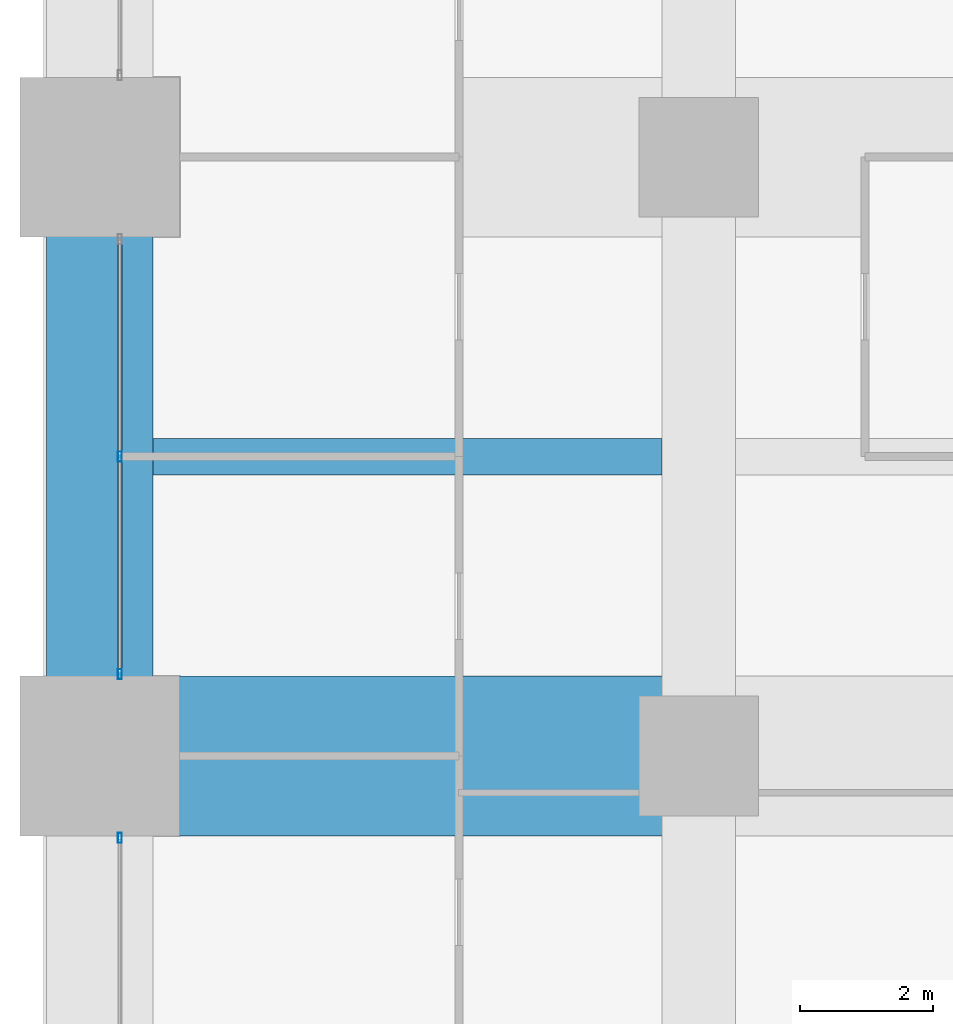
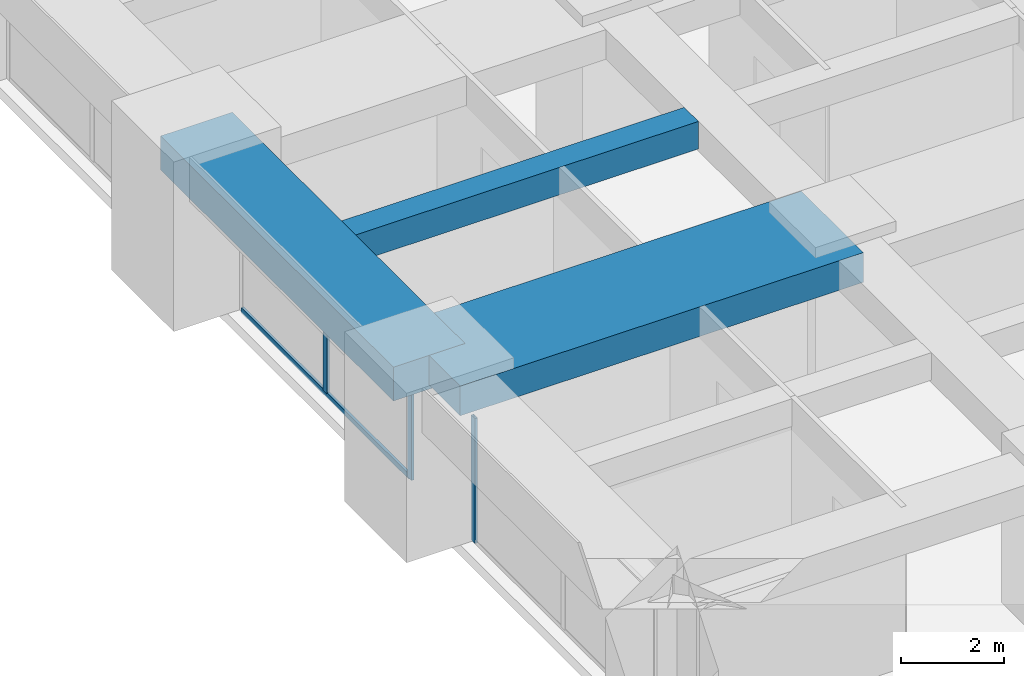
# One storey, part 9 of 43: 4 members, 3 beams, 2 elements without a shape of their own.
"""IFC4 building model written with IfcOpenShell, lengths in metres."""

from ifc_helpers import new_model, si_unit, direction, frame, origin, origin_2d, place, context, subcontext, project, spatial, rectangle, hollow_rectangle, extrude, material, material_profile, profile_set, type_object, element, aggregate, save


model = new_model("IFC4")

# Units and contexts
model_context = context("Model", 3, precision=1e-05, world=origin(), true_north=direction((0.0, 1.0)))
body_context = subcontext(model_context, "Body", "Model", "MODEL_VIEW")
ifc_project = project(units=[si_unit("LENGTHUNIT", "METRE"), si_unit("AREAUNIT", "SQUARE_METRE"), si_unit("VOLUMEUNIT", "CUBIC_METRE"), si_unit("PLANEANGLEUNIT", "RADIAN"), si_unit("MASSUNIT", "GRAM", prefix="KILO")], contexts=[model_context])

# Site, building, storey
site_placement = place(None, origin())
site = spatial("IfcSite", under=ifc_project, at=site_placement, CompositionType="ELEMENT")
building_placement = place(site_placement, origin())
building = spatial("IfcBuilding", under=site, at=building_placement, Name="Zorevar Civic Tower", CompositionType="ELEMENT")
storey_placement = place(building_placement, frame((0.0, 0.0, 145.0)))
storey = spatial("IfcBuildingStorey", under=building, at=storey_placement, Name="L35", CompositionType="ELEMENT", Elevation=145.0)

# Beams
ifc_material_1 = material(Name="Concrete C50/60", Category="concrete")
ifc_material_profile_1 = material_profile(ifc_material_1, rectangle(XDim=2.39990234375, YDim=0.699951171875, at=origin_2d()), Name="RC 2400x700")
ifc_profile_set_1 = profile_set([ifc_material_profile_1], Name="Concrete C50/60")
beam_type_1 = type_object("IfcBeamType", Name="Beam RC 2400x700", PredefinedType="BEAM", material=ifc_profile_set_1)
beam_1_placement = place(storey_placement, frame((0.0, 18.0, 3.39990234375), z_axis=(1.0, 0.0, 0.0), x_axis=(0.0, 1.0, 0.0)))
element("IfcBeam", 1, at=beam_1_placement, inside=storey, type_object=beam_type_1, Name="Girder L36", PredefinedType="BEAM", context=body_context, shape_type="SweptSolid", body=[
    extrude(rectangle(XDim=2.39990234375, YDim=0.699951171875, at=origin_2d()), origin(), (0.0, 0.0, 1.0), 9.0),
])
ifc_material_2 = material(Name="Concrete C50/60", Category="concrete")
ifc_material_profile_2 = material_profile(ifc_material_2, rectangle(XDim=0.550048828125, YDim=0.64990234375, at=origin_2d()), Name="RC 550x650")
ifc_profile_set_2 = profile_set([ifc_material_profile_2], Name="Concrete C50/60")
beam_type_2 = type_object("IfcBeamType", Name="Beam RC 550x650", PredefinedType="BEAM", material=ifc_profile_set_2)
beam_2_placement = place(storey_placement, frame((0.800048828125, 22.5, 3.425048828125), z_axis=(1.0, 0.0, 0.0), x_axis=(0.0, 1.0, 0.0)))
element("IfcBeam", 2, at=beam_2_placement, inside=storey, type_object=beam_type_2, Name="Secondary beam L36", PredefinedType="BEAM", context=body_context, shape_type="SweptSolid", body=[
    extrude(rectangle(XDim=0.550048828125, YDim=0.64990234375, at=origin_2d()), origin(), (0.0, 0.0, 1.0), 7.64990234375),
])

# Curtain wall, member
ifc_material_3 = material(Name="Dark grey solar-control glass in black aluminium frame", Category="aluminium")
curtain_wall_type = type_object("IfcCurtainWallType", Name="Curtain wall CW3 mid zone", PredefinedType="NOTDEFINED", material=ifc_material_3)
curtain_wall_1_placement = place(storey_placement, origin())
curtain_wall_1 = element("IfcCurtainWall", 3, at=curtain_wall_1_placement, inside=storey, type_object=curtain_wall_type, Name="CW3 L35", PredefinedType="NOTDEFINED")
ifc_material_4 = material(Name="Aluminium, black anodised", Category="aluminium")
ifc_material_profile_3 = material_profile(ifc_material_4, hollow_rectangle(XDim=0.06005859375, YDim=0.14990234375, WallThickness=0.00390625, at=origin_2d()), Name="AL 150x60x4")
ifc_profile_set_3 = profile_set([ifc_material_profile_3], Name="Aluminium, black anodised")
member_type_1 = type_object("IfcMemberType", Name="CW3 mullion AL 150x60x4", PredefinedType="MULLION", material=ifc_profile_set_3)
member_1_placement = place(storey_placement, frame((0.300048828125, 16.77001953125, 0.0), z_axis=(0.0, 0.0, 1.0), x_axis=(-1.0, 0.0, 0.0)))
member_1 = element("IfcMember", 4, at=member_1_placement, type_object=member_type_1, Name="CW3 mullion 3", PredefinedType="MULLION", context=body_context, shape_type="SweptSolid", body=[
    extrude(hollow_rectangle(XDim=0.06005859375, YDim=0.14990234375, WallThickness=0.00390625, at=origin_2d()), origin(), (0.0, 0.0, 1.0), 2.949951171875),
])
aggregate(curtain_wall_1, [member_1])

# Curtain wall, members
curtain_wall_2_placement = place(storey_placement, origin())
curtain_wall_2 = element("IfcCurtainWall", 5, at=curtain_wall_2_placement, inside=storey, type_object=curtain_wall_type, Name="CW3 L35", PredefinedType="NOTDEFINED")
member_2_placement = place(storey_placement, frame((0.300048828125, 19.22998046875, 0.0), z_axis=(0.0, 0.0, 1.0), x_axis=(-1.0, 0.0, 0.0)))
member_2 = element("IfcMember", 6, at=member_2_placement, type_object=member_type_1, Name="CW3 mullion 1", PredefinedType="MULLION", context=body_context, shape_type="SweptSolid", body=[
    extrude(hollow_rectangle(XDim=0.06005859375, YDim=0.14990234375, WallThickness=0.00390625, at=origin_2d()), origin(), (0.0, 0.0, 1.0), 2.949951171875),
])
member_3_placement = place(storey_placement, frame((0.300048828125, 22.5, 0.06005859375), z_axis=(0.0, 0.0, 1.0), x_axis=(-1.0, 0.0, 0.0)))
member_3 = element("IfcMember", 7, at=member_3_placement, type_object=member_type_1, Name="CW3 mullion 2", PredefinedType="MULLION", context=body_context, shape_type="SweptSolid", body=[
    extrude(hollow_rectangle(XDim=0.06005859375, YDim=0.14990234375, WallThickness=0.00390625, at=origin_2d()), origin(), (0.0, 0.0, 1.0), 2.889892578125),
])
ifc_material_5 = material(Name="Aluminium, black anodised", Category="aluminium")
ifc_material_profile_4 = material_profile(ifc_material_5, hollow_rectangle(XDim=0.06005859375, YDim=0.1201171875, WallThickness=0.0029296875, at=origin_2d()), Name="AL 120x60x3")
ifc_profile_set_4 = profile_set([ifc_material_profile_4], Name="Aluminium, black anodised")
member_type_2 = type_object("IfcMemberType", Name="CW3 transom AL 120x60x3", PredefinedType="USERDEFINED", material=ifc_profile_set_4)
member_4_placement = place(storey_placement, frame((0.300048828125, 19.260009765625, 0.030029296875), z_axis=(0.0, 1.0, 0.0), x_axis=(-1.0, 0.0, 0.0)))
member_4 = element("IfcMember", 8, at=member_4_placement, type_object=member_type_2, Name="CW3 sill transom", ObjectType="TRANSOM", PredefinedType="USERDEFINED", context=body_context, shape_type="SweptSolid", body=[
    extrude(hollow_rectangle(XDim=0.06005859375, YDim=0.1201171875, WallThickness=0.0029296875, at=origin_2d()), origin(), (0.0, 0.0, 1.0), 6.47998046875),
])
aggregate(curtain_wall_2, [member_2, member_3, member_4])

# Beam
ifc_material_6 = material(Name="Concrete C50/60", Category="concrete")
ifc_material_profile_5 = material_profile(ifc_material_6, rectangle(XDim=1.60009765625, YDim=0.800048828125, at=origin_2d()), Name="RC 1600x800")
ifc_profile_set_5 = profile_set([ifc_material_profile_5], Name="Concrete C50/60")
beam_type_3 = type_object("IfcBeamType", Name="Edge beam RC 1600x800", PredefinedType="SPANDREL", material=ifc_profile_set_5)
beam_3_placement = place(storey_placement, frame((0.0, 18.0, 3.35009765625), z_axis=(0.0, 1.0, 0.0), x_axis=(-1.0, 0.0, 0.0)))
element("IfcBeam", 9, at=beam_3_placement, inside=storey, type_object=beam_type_3, Name="Edge beam L36", PredefinedType="SPANDREL", context=body_context, shape_type="SweptSolid", body=[
    extrude(rectangle(XDim=1.60009765625, YDim=0.800048828125, at=origin_2d()), origin(), (0.0, 0.0, 1.0), 9.0),
])

save(model, "model.ifc")
